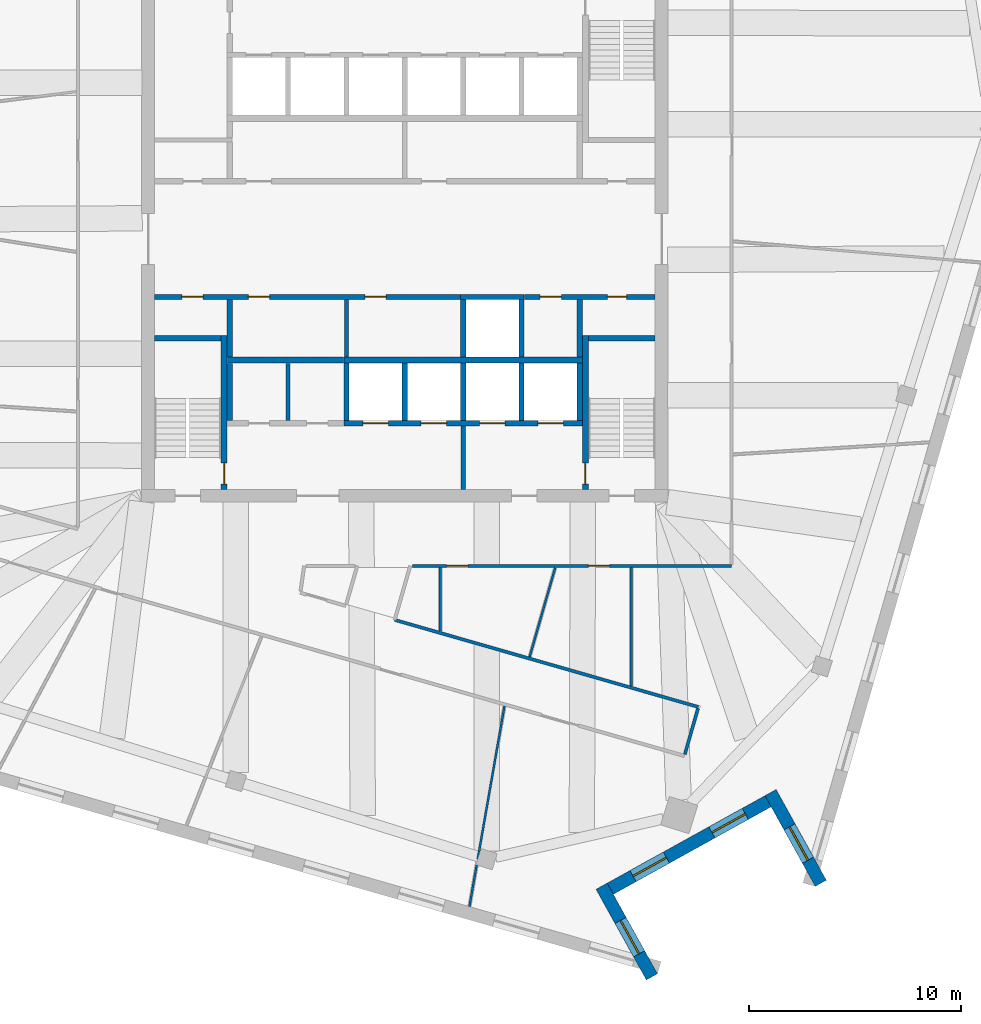
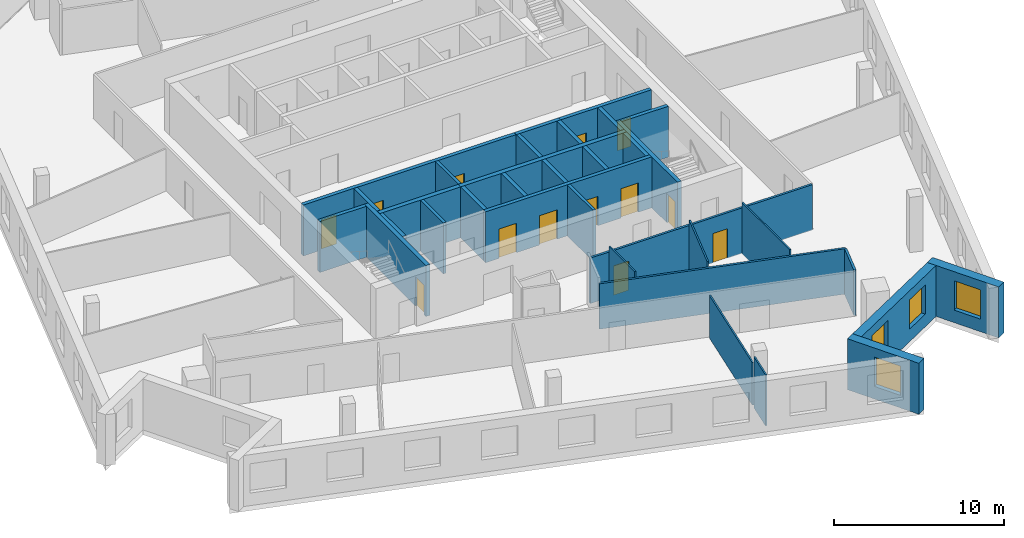
# One storey, part 8 of 15: 34 walls, 13 doors, 4 windows, 17 openings.
"""IFC4 building model written with IfcOpenShell, lengths in metres."""

import ifcopenshell
import ifcopenshell.guid

model = None  # the IFC model being written
_history = None  # IfcOwnerHistory: only IFC2X3 demands one
_inside = {}  # id of a spatial element -> (the spatial element, [elements in it])
_under = {}  # id of a project, library or spatial element -> (it, [spatial elements below it])
_declared = {}  # id of a project -> (the project, [libraries it declares])
_typed = {}  # id of a type object -> (the type object, [elements of that type])
_made_of = {}  # id of a material, layer set ... -> (it, [elements and type objects made of it])


def new_model(schema):
    """Start an empty IFC model of exactly this schema.

    Asked for "IFC4X3", IfcOpenShell would pick the latest addendum, in which some entities
    have other attributes; the version numbers below select the first issue.
    IFC2X3 requires an IfcOwnerHistory on every rooted entity: one is made here for all.
    """
    global model, _history
    if schema == "IFC4X3":
        model = ifcopenshell.file(schema_version=(4, 3, 0, 0))
    else:
        model = ifcopenshell.file(schema=schema)
    _inside.clear()
    _under.clear()
    _declared.clear()
    _typed.clear()
    _made_of.clear()
    _history = None
    if model.schema == "IFC2X3":
        org = make("IfcOrganization", Name="unknown")
        user = make(
            "IfcPersonAndOrganization",
            ThePerson=make("IfcPerson", FamilyName="unknown"),
            TheOrganization=org,
        )
        app = make(
            "IfcApplication",
            ApplicationDeveloper=org,
            Version="unknown",
            ApplicationFullName="unknown",
            ApplicationIdentifier="unknown",
        )
        _history = make(
            "IfcOwnerHistory",
            OwningUser=user,
            OwningApplication=app,
            ChangeAction="ADDED",
            CreationDate=0,
        )
    return model


def make(cls, **values):
    """One entity of the class cls with the attributes given. An attribute that is None is left unset."""
    return model.create_entity(
        cls, **{name: value for name, value in values.items() if value is not None}
    )


def rooted(cls, **values):
    """An entity with a GlobalId (a new one), such as an element, a storey or a relation."""
    return make(cls, GlobalId=ifcopenshell.guid.new(), OwnerHistory=_history, **values)


def si_unit(unit_type, name, prefix=None):
    """IfcSIUnit, for example si_unit("LENGTHUNIT", "METRE", prefix="MILLI")."""
    return make("IfcSIUnit", UnitType=unit_type, Prefix=prefix, Name=name)


def assignment(units):
    """IfcUnitAssignment: the units of a project."""
    return None if units is None else make("IfcUnitAssignment", Units=units)


def point(xyz):
    """IfcCartesianPoint."""
    return None if xyz is None else make("IfcCartesianPoint", Coordinates=xyz)


def direction(xyz):
    """IfcDirection."""
    return None if xyz is None else make("IfcDirection", DirectionRatios=xyz)


def frame(location, z_axis=None, x_axis=None):
    """IfcAxis2Placement3D, a coordinate frame: its origin and axes. An axis left out is left unset."""
    return make(
        "IfcAxis2Placement3D",
        Location=point(location),
        Axis=direction(z_axis),
        RefDirection=direction(x_axis),
    )


def frame_2d(location, x_axis=None):
    """IfcAxis2Placement2D, a coordinate frame in the plane: its origin and x axis."""
    return make(
        "IfcAxis2Placement2D", Location=point(location), RefDirection=direction(x_axis)
    )


def origin():
    """The frame at (0, 0, 0) with its axes left unset."""
    return frame((0.0, 0.0, 0.0))


def place(relative_to, where):
    """IfcLocalPlacement: puts the frame where relative to a parent placement (None: the world)."""
    return make(
        "IfcLocalPlacement", PlacementRelTo=relative_to, RelativePlacement=where
    )


def context(
    kind, dimensions, precision=None, world=None, true_north=None, identifier=None
):
    """IfcGeometricRepresentationContext, for example the 3D "Model" context."""
    return make(
        "IfcGeometricRepresentationContext",
        ContextIdentifier=identifier,
        ContextType=kind,
        CoordinateSpaceDimension=dimensions,
        Precision=precision,
        WorldCoordinateSystem=world,
        TrueNorth=true_north,
    )


def subcontext(parent, identifier, kind, view, scale=None):
    """IfcGeometricRepresentationSubContext, for example "Body" below "Model"."""
    return make(
        "IfcGeometricRepresentationSubContext",
        ContextIdentifier=identifier,
        ContextType=kind,
        ParentContext=parent,
        TargetScale=scale,
        TargetView=view,
    )


def project(units=None, contexts=None):
    """IfcProject with its units and contexts."""
    return rooted(
        "IfcProject",
        Name="project",
        RepresentationContexts=contexts,
        UnitsInContext=assignment(units),
    )


def spatial(cls, under=None, at=None, **own):
    """A site, building, storey or space (cls), placed at a placement, below another one or the project."""
    s = rooted(cls, ObjectPlacement=at, **own)
    if under is not None:
        _under.setdefault(under.id(), (under, []))[1].append(s)
    return s


def profile(cls, at=None, kind="AREA", **sizes):
    """A parametric profile (cls). Its sizes go by their IFC names, for example OverallWidth=200.0."""
    return make(cls, ProfileType=kind, Position=at, **sizes)


def rectangle(**sizes):
    """IfcRectangleProfileDef."""
    return profile("IfcRectangleProfileDef", **sizes)


def extrude(swept, where, along, depth):
    """IfcExtrudedAreaSolid: the profile swept, set in the frame where, extruded along a direction by depth."""
    return make(
        "IfcExtrudedAreaSolid",
        SweptArea=swept,
        Position=where,
        ExtrudedDirection=direction(along),
        Depth=depth,
    )


def shape(context_of_items, identifier, shape_type, items):
    """IfcShapeRepresentation: the items that make up one representation, for example the "Body"."""
    return make(
        "IfcShapeRepresentation",
        ContextOfItems=context_of_items,
        RepresentationIdentifier=identifier,
        RepresentationType=shape_type,
        Items=items,
    )


def material(Name=None, Category=None):
    """IfcMaterial."""
    return make("IfcMaterial", Name=Name, Category=Category)


def layer(
    of_material, thickness, ventilated=None, Name=None, Category=None, Priority=None
):
    """IfcMaterialLayer: one layer of a wall or slab, of a material (None: an air gap)."""
    return make(
        "IfcMaterialLayer",
        Material=of_material,
        LayerThickness=thickness,
        IsVentilated=ventilated,
        Name=Name,
        Category=Category,
        Priority=Priority,
    )


def layer_set(layers, Name=None):
    """IfcMaterialLayerSet."""
    return make("IfcMaterialLayerSet", MaterialLayers=layers, LayerSetName=Name)


def made_of(thing, what):
    """Note that an element or type object is made of a material, layer set ...; save() writes the relation."""
    if what is not None:
        _made_of.setdefault(what.id(), (what, []))[1].append(thing)
    return thing


def type_object(cls, material=None, **own):
    """A type object (cls), such as IfcWallType, which elements share."""
    return made_of(rooted(cls, **own), material)


def element(
    cls,
    number,
    at=None,
    inside=None,
    cuts=None,
    type_object=None,
    material=None,
    context=None,
    identifier="Body",
    shape_type=None,
    held_by="IfcProductDefinitionShape",
    body=None,
    shapes=None,
    **own,
):
    """One element of the class cls, such as IfcWall. Its Tag is "e" and its number.

    at: its placement. inside: the storey or other place that contains it. cuts: it is an
    opening in that element (IfcRelVoidsElement). A single representation is given by context,
    identifier, shape_type and body (its items); several are given by shapes. held_by: the class
    of the entity that holds the representations. save() writes the other relations.
    """
    e = rooted(cls, Tag="e%d" % number, ObjectPlacement=at, **own)
    if body is not None:
        shapes = [shape(context, identifier, shape_type, body)]
    if shapes is not None:
        e.Representation = make(held_by, Representations=shapes)
    if inside is not None:
        _inside.setdefault(inside.id(), (inside, []))[1].append(e)
    if cuts is not None:
        rooted(
            "IfcRelVoidsElement", RelatingBuildingElement=cuts, RelatedOpeningElement=e
        )
    if type_object is not None:
        _typed.setdefault(type_object.id(), (type_object, []))[1].append(e)
    return made_of(e, material)


def fill(opening, filler):
    """IfcRelFillsElement: the door or window that sits in an opening."""
    return rooted(
        "IfcRelFillsElement",
        RelatingOpeningElement=opening,
        RelatedBuildingElement=filler,
    )


def aggregate(whole, parts):
    """IfcRelAggregates: a whole, such as a stair, and the parts it consists of."""
    return rooted("IfcRelAggregates", RelatingObject=whole, RelatedObjects=parts)


def save(model, path):
    """Write the relations noted so far, then the file.

    IfcRelAggregates (storeys below a building ...), IfcRelContainedInSpatialStructure (elements
    in a storey), IfcRelDefinesByType, IfcRelAssociatesMaterial and IfcRelDeclares: one each for
    every whole, place, type object, material and project.
    """
    for whole, parts in _under.values():
        aggregate(whole, parts)
    for where, things in _inside.values():
        rooted(
            "IfcRelContainedInSpatialStructure",
            RelatedElements=things,
            RelatingStructure=where,
        )
    for kind, things in _typed.values():
        rooted("IfcRelDefinesByType", RelatedObjects=things, RelatingType=kind)
    for what, things in _made_of.values():
        rooted("IfcRelAssociatesMaterial", RelatedObjects=things, RelatingMaterial=what)
    for by, libraries in _declared.values():
        rooted("IfcRelDeclares", RelatingContext=by, RelatedDefinitions=libraries)
    model.write(path)


model = new_model("IFC4")

# Units and contexts
model_context = context("Model", 3, precision=1e-05, world=origin(), true_north=direction((0.0, 1.0)))
body_context = subcontext(model_context, "Body", "Model", "MODEL_VIEW")
ifc_project = project(units=[si_unit("LENGTHUNIT", "METRE"), si_unit("AREAUNIT", "SQUARE_METRE"), si_unit("VOLUMEUNIT", "CUBIC_METRE"), si_unit("PLANEANGLEUNIT", "RADIAN"), si_unit("MASSUNIT", "GRAM", prefix="KILO")], contexts=[model_context])

# Site, building, storey
site_placement = place(None, origin())
site = spatial("IfcSite", under=ifc_project, at=site_placement, CompositionType="ELEMENT")
building_placement = place(site_placement, origin())
building = spatial("IfcBuilding", under=site, at=building_placement, Name="Dilmun Exchange Tower", CompositionType="ELEMENT")
storey_placement = place(building_placement, frame((0.0, 0.0, 328.5)))
storey = spatial("IfcBuildingStorey", under=building, at=storey_placement, Name="L78", CompositionType="ELEMENT", Elevation=328.5)

# Walls
ifc_material_1 = material(Name="Concrete C40/50", Category="concrete")
ifc_layer_1 = layer(ifc_material_1, 0.199951171875)
ifc_layer_set_1 = layer_set([ifc_layer_1], Name="Concrete C40/50")
wall_type_1 = type_object("IfcWallType", Name="Core partition wall 200", PredefinedType="PARTITIONING", material=ifc_layer_set_1)
wall_1_placement = place(storey_placement, frame((2.75, -11.794921875, 0.0), z_axis=(0.0, 0.0, 1.0), x_axis=(0.0, 1.0, 0.0)))
element("IfcWall", 1, at=wall_1_placement, inside=storey, type_object=wall_type_1, Name="L78 core partition wall 01", PredefinedType="PARTITIONING", context=body_context, shape_type="SweptSolid", body=[
    extrude(rectangle(XDim=2.989990234375, YDim=0.199951171875, at=frame_2d((1.4951171875, 0.0))), origin(), (0.0, 0.0, 1.0), 3.64990234375),
])
for number, where, z_axis, x_axis, name in (
    (2, (-5.5, -8.544921875, 0.0), (0.0, 0.0, 1.0), (0.0, 1.0, 0.0), "L78 core partition wall 04"),
    (3, (-2.75, -5.544921875, 0.0), (0.0, 0.0, 1.0), (0.0, 1.0, 0.0), "L78 core partition wall 07"),
):
    element("IfcWall", number, at=place(storey_placement, frame(where, z_axis=z_axis, x_axis=x_axis)), inside=storey, type_object=wall_type_1, Name=name, PredefinedType="PARTITIONING", context=body_context, shape_type="SweptSolid", body=[
        extrude(rectangle(XDim=2.68994140625, YDim=0.199951171875, at=frame_2d((1.344970703125, 0.0))), origin(), (0.0, 0.0, 1.0), 3.64990234375),
    ])
ifc_layer_2 = layer(ifc_material_1, 0.25)
ifc_layer_set_2 = layer_set([ifc_layer_2], Name="Concrete C40/50")
wall_type_2 = type_object("IfcWallType", Name="Core partition wall 250", PredefinedType="PARTITIONING", material=ifc_layer_set_2)
for number, where, z_axis, x_axis, name in (
    (4, (-8.25, -8.544921875, 0.0), (0.0, 0.0, 1.0), (0.0, 1.0, 0.0), "L78 core partition wall 03"),
    (5, (-8.25, -5.544921875, 0.0), (0.0, 0.0, 1.0), (0.0, 1.0, 0.0), "L78 core partition wall 06"),
    (6, (8.25, -5.544921875, 0.0), (0.0, 0.0, 1.0), (0.0, 1.0, 0.0), "L78 core partition wall 08"),
):
    element("IfcWall", number, at=place(storey_placement, frame(where, z_axis=z_axis, x_axis=x_axis)), inside=storey, type_object=wall_type_2, Name=name, PredefinedType="PARTITIONING", context=body_context, shape_type="SweptSolid", body=[
        extrude(rectangle(XDim=2.68994140625, YDim=0.25, at=frame_2d((1.344970703125, 0.0))), origin(), (0.0, 0.0, 1.0), 3.64990234375),
    ])

# Wall, openings, doors
wall_2_placement = place(storey_placement, frame((-11.794921875, -2.72509765625, 0.0), z_axis=(0.0, 0.0, 1.0), x_axis=(1.0, 0.0, 0.0)))
wall_2 = element("IfcWall", 7, at=wall_2_placement, inside=storey, type_object=wall_type_2, Name="L78 core partition wall 09", PredefinedType="PARTITIONING", context=body_context, shape_type="SweptSolid", body=[
    extrude(rectangle(XDim=14.4150390625, YDim=0.25, at=frame_2d((7.20751953125, 0.0))), origin(), (0.0, 0.0, 1.0), 3.64990234375),
])
opening_1_placement = place(wall_2_placement, frame((1.294921875, 0.0, 0.0)))
opening_1 = element("IfcOpeningElement", 8, at=opening_1_placement, cuts=wall_2, Name="Opening CD4", PredefinedType="OPENING", context=body_context, shape_type="SweptSolid", body=[
    extrude(rectangle(XDim=1.0, YDim=2.10009765625, at=frame_2d((0.5, 1.050048828125))), frame((0.0, 0.135009765625, 0.0), z_axis=(0.0, -1.0, 0.0), x_axis=(1.0, 0.0, 0.0)), (0.0, 0.0, 1.0), 0.27001953125),
])
opening_2_placement = place(wall_2_placement, frame((4.419921875, 0.0, 0.0)))
opening_2 = element("IfcOpeningElement", 9, at=opening_2_placement, cuts=wall_2, Name="Opening CD4", PredefinedType="OPENING", context=body_context, shape_type="SweptSolid", body=[
    extrude(rectangle(XDim=1.0, YDim=2.10009765625, at=frame_2d((0.5, 1.050048828125))), frame((0.0, 0.135009765625, 0.0), z_axis=(0.0, -1.0, 0.0), x_axis=(1.0, 0.0, 0.0)), (0.0, 0.0, 1.0), 0.27001953125),
])
opening_3_placement = place(wall_2_placement, frame((9.919921875, 0.0, 0.0)))
opening_3 = element("IfcOpeningElement", 10, at=opening_3_placement, cuts=wall_2, Name="Opening CD4", PredefinedType="OPENING", context=body_context, shape_type="SweptSolid", body=[
    extrude(rectangle(XDim=1.0, YDim=2.10009765625, at=frame_2d((0.5, 1.050048828125))), frame((0.0, 0.135009765625, 0.0), z_axis=(0.0, -1.0, 0.0), x_axis=(1.0, 0.0, 0.0)), (0.0, 0.0, 1.0), 0.27001953125),
])
ifc_material_2 = material(Name="Fire-rated steel door set", Category="steel")
door_type_1 = type_object("IfcDoorType", Name="Core room door 1000x2100", OperationType="SINGLE_SWING_LEFT", PredefinedType="DOOR", material=ifc_material_2)
door_1_placement = place(opening_1_placement, origin())
door_1 = element("IfcDoor", 11, at=door_1_placement, inside=storey, type_object=door_type_1, Name="L78 door Accessible WC", OperationType="SINGLE_SWING_LEFT", OverallHeight=2.10009765625, OverallWidth=1.0, PredefinedType="DOOR", context=body_context, shape_type="SweptSolid", body=[
    extrude(rectangle(XDim=1.0, YDim=2.10009765625, at=frame_2d((0.5, 1.050048828125))), frame((0.0, 0.02490234375, 0.0), z_axis=(0.0, -1.0, 0.0), x_axis=(1.0, 0.0, 0.0)), (0.0, 0.0, 1.0), 0.050048828125),
])
fill(opening_1, door_1)
door_2_placement = place(opening_2_placement, origin())
door_2 = element("IfcDoor", 12, at=door_2_placement, inside=storey, type_object=door_type_1, Name="L78 door Tenant services room", OperationType="SINGLE_SWING_LEFT", OverallHeight=2.10009765625, OverallWidth=1.0, PredefinedType="DOOR", context=body_context, shape_type="SweptSolid", body=[
    extrude(rectangle(XDim=1.0, YDim=2.10009765625, at=frame_2d((0.5, 1.050048828125))), frame((0.0, 0.02490234375, 0.0), z_axis=(0.0, -1.0, 0.0), x_axis=(1.0, 0.0, 0.0)), (0.0, 0.0, 1.0), 0.050048828125),
])
fill(opening_2, door_2)
door_3_placement = place(opening_3_placement, origin())
door_3 = element("IfcDoor", 13, at=door_3_placement, inside=storey, type_object=door_type_1, Name="L78 door Archive store", OperationType="SINGLE_SWING_LEFT", OverallHeight=2.10009765625, OverallWidth=1.0, PredefinedType="DOOR", context=body_context, shape_type="SweptSolid", body=[
    extrude(rectangle(XDim=1.0, YDim=2.10009765625, at=frame_2d((0.5, 1.050048828125))), frame((0.0, 0.02490234375, 0.0), z_axis=(0.0, -1.0, 0.0), x_axis=(1.0, 0.0, 0.0)), (0.0, 0.0, 1.0), 0.050048828125),
])
fill(opening_3, door_3)

wall_3_placement = place(storey_placement, frame((5.6298828125, -2.72509765625, 0.0), z_axis=(0.0, 0.0, 1.0), x_axis=(1.0, 0.0, 0.0)))
wall_3 = element("IfcWall", 14, at=wall_3_placement, inside=storey, type_object=wall_type_2, Name="L78 core partition wall 10", PredefinedType="PARTITIONING", context=body_context, shape_type="SweptSolid", body=[
    extrude(rectangle(XDim=6.1650390625, YDim=0.25, at=frame_2d((3.08251953125, 0.0))), origin(), (0.0, 0.0, 1.0), 3.64990234375),
])
opening_4_placement = place(wall_3_placement, frame((0.7451171875, 0.0, 0.0)))
opening_4 = element("IfcOpeningElement", 15, at=opening_4_placement, cuts=wall_3, Name="Opening CD4", PredefinedType="OPENING", context=body_context, shape_type="SweptSolid", body=[
    extrude(rectangle(XDim=1.0, YDim=2.10009765625, at=frame_2d((0.5, 1.050048828125))), frame((0.0, 0.135009765625, 0.0), z_axis=(0.0, -1.0, 0.0), x_axis=(1.0, 0.0, 0.0)), (0.0, 0.0, 1.0), 0.27001953125),
])
opening_5_placement = place(wall_3_placement, frame((3.919921875, 0.0, 0.0)))
opening_5 = element("IfcOpeningElement", 16, at=opening_5_placement, cuts=wall_3, Name="Opening CD6", PredefinedType="OPENING", context=body_context, shape_type="SweptSolid", body=[
    extrude(rectangle(XDim=0.89990234375, YDim=2.10009765625, at=frame_2d((0.449951171875, 1.050048828125))), frame((0.0, 0.135009765625, 0.0), z_axis=(0.0, -1.0, 0.0), x_axis=(1.0, 0.0, 0.0)), (0.0, 0.0, 1.0), 0.27001953125),
])
door_4_placement = place(opening_4_placement, origin())
door_4 = element("IfcDoor", 17, at=door_4_placement, inside=storey, type_object=door_type_1, Name="L78 door Cleaners' store", OperationType="SINGLE_SWING_LEFT", OverallHeight=2.10009765625, OverallWidth=1.0, PredefinedType="DOOR", context=body_context, shape_type="SweptSolid", body=[
    extrude(rectangle(XDim=1.0, YDim=2.10009765625, at=frame_2d((0.5, 1.050048828125))), frame((0.0, 0.02490234375, 0.0), z_axis=(0.0, -1.0, 0.0), x_axis=(1.0, 0.0, 0.0)), (0.0, 0.0, 1.0), 0.050048828125),
])
fill(opening_4, door_4)
door_type_2 = type_object("IfcDoorType", Name="Core room door 900x2100", OperationType="SINGLE_SWING_LEFT", PredefinedType="DOOR", material=ifc_material_2)
door_5_placement = place(opening_5_placement, origin())
door_5 = element("IfcDoor", 18, at=door_5_placement, inside=storey, type_object=door_type_2, Name="L78 door Comms riser", OperationType="SINGLE_SWING_LEFT", OverallHeight=2.10009765625, OverallWidth=0.89990234375, PredefinedType="DOOR", context=body_context, shape_type="SweptSolid", body=[
    extrude(rectangle(XDim=0.89990234375, YDim=2.10009765625, at=frame_2d((0.449951171875, 1.050048828125))), frame((0.0, 0.02490234375, 0.0), z_axis=(0.0, -1.0, 0.0), x_axis=(1.0, 0.0, 0.0)), (0.0, 0.0, 1.0), 0.050048828125),
])
fill(opening_5, door_5)

# Walls
ifc_layer_3 = layer(ifc_material_1, 0.300048828125)
ifc_layer_set_3 = layer_set([ifc_layer_3], Name="Concrete C40/50")
wall_type_3 = type_object("IfcWallType", Name="Core partition wall 300", PredefinedType="PARTITIONING", material=ifc_layer_set_3)
wall_4_placement = place(storey_placement, frame((-8.35009765625, -5.699951171875, 0.0), z_axis=(0.0, 0.0, 1.0), x_axis=(1.0, 0.0, 0.0)))
element("IfcWall", 19, at=wall_4_placement, inside=storey, type_object=wall_type_3, Name="L78 core partition wall 05", PredefinedType="PARTITIONING", context=body_context, shape_type="SweptSolid", body=[
    extrude(rectangle(XDim=5.47021484375, YDim=0.300048828125, at=frame_2d((2.735107421875, 0.0))), origin(), (0.0, 0.0, 1.0), 3.64990234375),
])
ifc_material_3 = material(Name="Corridor wall 150")
ifc_layer_4 = layer(ifc_material_3, 0.14990234375)
ifc_layer_set_4 = layer_set([ifc_layer_4], Name="Corridor wall 150")
wall_type_4 = type_object("IfcWallType", Name="Corridor wall 150", PredefinedType="PARTITIONING", material=ifc_layer_set_4)
wall_5_placement = place(storey_placement, frame((-0.47509765625, -17.945068359375, 0.0), z_axis=(0.0, 0.0, 1.0), x_axis=(0.9612723016, -0.275600366793, 0.0)))
element("IfcWall", 20, at=wall_5_placement, inside=storey, type_object=wall_type_4, Name="Corridor wall", PredefinedType="PARTITIONING", context=body_context, shape_type="SweptSolid", body=[
    extrude(rectangle(XDim=14.8876953125, YDim=0.14990234375, at=frame_2d((7.44384765625, 0.0))), origin(), (0.0, 0.0, 1.0), 3.25),
])

# Wall, openings, doors
wall_6_placement = place(storey_placement, frame((0.3544921875, -15.39990234375, 0.0), z_axis=(0.0, 0.0, 1.0), x_axis=(1.0, 0.0, 0.0)))
wall_6 = element("IfcWall", 21, at=wall_6_placement, inside=storey, type_object=wall_type_4, Name="Corridor wall", PredefinedType="PARTITIONING", context=body_context, shape_type="SweptSolid", body=[
    extrude(rectangle(XDim=15.04541015625, YDim=0.14990234375, at=frame_2d((7.522705078125, 0.0))), origin(), (0.0, 0.0, 1.0), 3.25),
])
opening_6_placement = place(wall_6_placement, frame((1.615966796875, 0.0, 0.0)))
opening_6 = element("IfcOpeningElement", 22, at=opening_6_placement, cuts=wall_6, Name="Opening TF77-D11", PredefinedType="OPENING", context=body_context, shape_type="SweptSolid", body=[
    extrude(rectangle(XDim=1.0, YDim=2.10009765625, at=frame_2d((0.5, 1.050048828125))), frame((0.0, 0.0849609375, 0.0), z_axis=(0.0, -1.0, 0.0), x_axis=(1.0, 0.0, 0.0)), (0.0, 0.0, 1.0), 0.169921875),
])
opening_7_placement = place(wall_6_placement, frame((8.29541015625, 0.0, 0.0)))
opening_7 = element("IfcOpeningElement", 23, at=opening_7_placement, cuts=wall_6, Name="Opening TF77-D13", PredefinedType="OPENING", context=body_context, shape_type="SweptSolid", body=[
    extrude(rectangle(XDim=1.0, YDim=2.10009765625, at=frame_2d((0.5, 1.050048828125))), frame((0.0, 0.0849609375, 0.0), z_axis=(0.0, -1.0, 0.0), x_axis=(1.0, 0.0, 0.0)), (0.0, 0.0, 1.0), 0.169921875),
])
ifc_material_4 = material(Name="Fire door 1000 x 2100")
door_type_3 = type_object("IfcDoorType", Name="Fire door 1000 x 2100", OperationType="NOTDEFINED", PredefinedType="DOOR", material=ifc_material_4)
door_6_placement = place(opening_6_placement, frame((1.0, 0.0, 0.0), z_axis=(0.0, 0.0, 1.0), x_axis=(-1.0, 0.0, 0.0)))
door_6 = element("IfcDoor", 24, at=door_6_placement, inside=storey, type_object=door_type_3, Name="Door TF77-D11", OperationType="SINGLE_SWING_RIGHT", OverallHeight=2.10009765625, OverallWidth=1.0, PredefinedType="DOOR", context=body_context, shape_type="SweptSolid", body=[
    extrude(rectangle(XDim=1.0, YDim=2.10009765625, at=frame_2d((0.5, 1.050048828125))), frame((0.0, 0.02490234375, 0.0), z_axis=(0.0, -1.0, 0.0), x_axis=(1.0, 0.0, 0.0)), (0.0, 0.0, 1.0), 0.050048828125),
])
fill(opening_6, door_6)
door_7_placement = place(opening_7_placement, frame((1.0, 0.0, 0.0), z_axis=(0.0, 0.0, 1.0), x_axis=(-1.0, 0.0, 0.0)))
door_7 = element("IfcDoor", 25, at=door_7_placement, inside=storey, type_object=door_type_3, Name="Door TF77-D13", OperationType="SINGLE_SWING_RIGHT", OverallHeight=2.10009765625, OverallWidth=1.0, PredefinedType="DOOR", context=body_context, shape_type="SweptSolid", body=[
    extrude(rectangle(XDim=1.0, YDim=2.10009765625, at=frame_2d((0.5, 1.050048828125))), frame((0.0, 0.02490234375, 0.0), z_axis=(0.0, -1.0, 0.0), x_axis=(1.0, 0.0, 0.0)), (0.0, 0.0, 1.0), 0.050048828125),
])
fill(opening_7, door_7)

# Walls
wall_7_placement = place(storey_placement, frame((13.19580078125, -24.282958984375, 0.0), z_axis=(0.0, 0.0, 1.0), x_axis=(0.27530870869, 0.961355873191, 0.0)))
element("IfcWall", 26, at=wall_7_placement, inside=storey, type_object=wall_type_4, Name="Corridor wall", PredefinedType="PARTITIONING", context=body_context, shape_type="SweptSolid", body=[
    extrude(rectangle(XDim=2.249755859375, YDim=0.14990234375, at=frame_2d((1.125, 0.0))), origin(), (0.0, 0.0, 1.0), 3.25),
])
ifc_layer_5 = layer(ifc_material_1, 0.300048828125)
ifc_layer_set_5 = layer_set([ifc_layer_5], Name="Concrete C40/50")
wall_type_5 = type_object("IfcWallType", Name="Lift shaft shared wall 300", PredefinedType="SOLIDWALL", material=ifc_layer_set_5)
wall_8_placement = place(storey_placement, frame((-2.875, -5.699951171875, 0.0), z_axis=(0.0, 0.0, 1.0), x_axis=(1.0, 0.0, 0.0)))
element("IfcWall", 27, at=wall_8_placement, inside=storey, type_object=wall_type_5, Name="L78 lift shaft rear wall S", PredefinedType="SOLIDWALL", context=body_context, shape_type="SweptSolid", body=[
    extrude(rectangle(XDim=11.25, YDim=0.300048828125, at=frame_2d((5.625, 0.0))), origin(), (0.0, 0.0, 1.0), 3.64990234375),
])
ifc_layer_6 = layer(ifc_material_1, 0.25)
ifc_layer_set_6 = layer_set([ifc_layer_6], Name="Concrete C40/50")
wall_type_6 = type_object("IfcWallType", Name="Lift shaft wall 250", PredefinedType="SOLIDWALL", material=ifc_layer_set_6)
wall_9_placement = place(storey_placement, frame((2.625, -2.72509765625, 0.0), z_axis=(0.0, 0.0, 1.0), x_axis=(1.0, 0.0, 0.0)))
element("IfcWall", 28, at=wall_9_placement, inside=storey, type_object=wall_type_6, Name="L78 lift shaft front wall S1", PredefinedType="SOLIDWALL", context=body_context, shape_type="SweptSolid", body=[
    extrude(rectangle(XDim=3.0, YDim=0.25, at=frame_2d((1.5, 0.0))), origin(), (0.0, 0.0, 1.0), 3.64990234375),
])
for number, where, z_axis, x_axis, name in (
    (29, (2.75, -5.550048828125, 0.0), (0.0, 0.0, 1.0), (0.0, 1.0, 0.0), "L78 lift shaft divider S14"),
    (30, (5.5, -5.550048828125, 0.0), (0.0, 0.0, 1.0), (0.0, 1.0, 0.0), "L78 lift shaft divider S15"),
):
    element("IfcWall", number, at=place(storey_placement, frame(where, z_axis=z_axis, x_axis=x_axis)), inside=storey, type_object=wall_type_6, Name=name, PredefinedType="SOLIDWALL", context=body_context, shape_type="SweptSolid", body=[
        extrude(rectangle(XDim=2.699951171875, YDim=0.25, at=frame_2d((1.35009765625, 0.0))), origin(), (0.0, 0.0, 1.0), 3.64990234375),
    ])

# Wall, openings, doors
wall_10_placement = place(storey_placement, frame((-2.875, -8.675048828125, 0.0), z_axis=(0.0, 0.0, 1.0), x_axis=(1.0, 0.0, 0.0)))
wall_10 = element("IfcWall", 31, at=wall_10_placement, inside=storey, type_object=wall_type_6, Name="L78 lift shaft front wall S2", PredefinedType="SOLIDWALL", context=body_context, shape_type="SweptSolid", body=[
    extrude(rectangle(XDim=11.25, YDim=0.25, at=frame_2d((5.625, 0.0))), origin(), (0.0, 0.0, 1.0), 3.64990234375),
])
opening_8_placement = place(wall_10_placement, frame((0.89990234375, 0.0, 0.0)))
opening_8 = element("IfcOpeningElement", 32, at=opening_8_placement, cuts=wall_10, Name="Opening LD", PredefinedType="OPENING", context=body_context, shape_type="SweptSolid", body=[
    extrude(rectangle(XDim=1.199951171875, YDim=2.10009765625, at=frame_2d((0.60009765625, 1.050048828125))), frame((0.0, 0.135009765625, 0.0), z_axis=(0.0, -1.0, 0.0), x_axis=(1.0, 0.0, 0.0)), (0.0, 0.0, 1.0), 0.27001953125),
])
opening_9_placement = place(wall_10_placement, frame((3.64990234375, 0.0, 0.0)))
opening_9 = element("IfcOpeningElement", 33, at=opening_9_placement, cuts=wall_10, Name="Opening LD", PredefinedType="OPENING", context=body_context, shape_type="SweptSolid", body=[
    extrude(rectangle(XDim=1.199951171875, YDim=2.10009765625, at=frame_2d((0.60009765625, 1.050048828125))), frame((0.0, 0.135009765625, 0.0), z_axis=(0.0, -1.0, 0.0), x_axis=(1.0, 0.0, 0.0)), (0.0, 0.0, 1.0), 0.27001953125),
])
opening_10_placement = place(wall_10_placement, frame((6.39990234375, 0.0, 0.0)))
opening_10 = element("IfcOpeningElement", 34, at=opening_10_placement, cuts=wall_10, Name="Opening LD", PredefinedType="OPENING", context=body_context, shape_type="SweptSolid", body=[
    extrude(rectangle(XDim=1.199951171875, YDim=2.10009765625, at=frame_2d((0.60009765625, 1.050048828125))), frame((0.0, 0.135009765625, 0.0), z_axis=(0.0, -1.0, 0.0), x_axis=(1.0, 0.0, 0.0)), (0.0, 0.0, 1.0), 0.27001953125),
])
opening_11_placement = place(wall_10_placement, frame((9.14990234375, 0.0, 0.0)))
opening_11 = element("IfcOpeningElement", 35, at=opening_11_placement, cuts=wall_10, Name="Opening LD", PredefinedType="OPENING", context=body_context, shape_type="SweptSolid", body=[
    extrude(rectangle(XDim=1.199951171875, YDim=2.10009765625, at=frame_2d((0.60009765625, 1.050048828125))), frame((0.0, 0.135009765625, 0.0), z_axis=(0.0, -1.0, 0.0), x_axis=(1.0, 0.0, 0.0)), (0.0, 0.0, 1.0), 0.27001953125),
])
door_type_4 = type_object("IfcDoorType", Name="Lift landing door 1200x2100", OperationType="DOUBLE_DOOR_SLIDING", PredefinedType="DOOR", material=ifc_material_2)
door_8_placement = place(opening_8_placement, origin())
door_8 = element("IfcDoor", 36, at=door_8_placement, inside=storey, type_object=door_type_4, Name="L78 landing door SV1", OperationType="DOUBLE_DOOR_SLIDING", OverallHeight=2.10009765625, OverallWidth=1.199951171875, PredefinedType="DOOR", context=body_context, shape_type="SweptSolid", body=[
    extrude(rectangle(XDim=1.199951171875, YDim=2.10009765625, at=frame_2d((0.60009765625, 1.050048828125))), frame((0.0, 0.02490234375, 0.0), z_axis=(0.0, -1.0, 0.0), x_axis=(1.0, 0.0, 0.0)), (0.0, 0.0, 1.0), 0.050048828125),
])
fill(opening_8, door_8)
door_9_placement = place(opening_9_placement, origin())
door_9 = element("IfcDoor", 37, at=door_9_placement, inside=storey, type_object=door_type_4, Name="L78 landing door SV2", OperationType="DOUBLE_DOOR_SLIDING", OverallHeight=2.10009765625, OverallWidth=1.199951171875, PredefinedType="DOOR", context=body_context, shape_type="SweptSolid", body=[
    extrude(rectangle(XDim=1.199951171875, YDim=2.10009765625, at=frame_2d((0.60009765625, 1.050048828125))), frame((0.0, 0.02490234375, 0.0), z_axis=(0.0, -1.0, 0.0), x_axis=(1.0, 0.0, 0.0)), (0.0, 0.0, 1.0), 0.050048828125),
])
fill(opening_9, door_9)
door_10_placement = place(opening_10_placement, origin())
door_10 = element("IfcDoor", 38, at=door_10_placement, inside=storey, type_object=door_type_4, Name="L78 landing door FF1", OperationType="DOUBLE_DOOR_SLIDING", OverallHeight=2.10009765625, OverallWidth=1.199951171875, PredefinedType="DOOR", context=body_context, shape_type="SweptSolid", body=[
    extrude(rectangle(XDim=1.199951171875, YDim=2.10009765625, at=frame_2d((0.60009765625, 1.050048828125))), frame((0.0, 0.02490234375, 0.0), z_axis=(0.0, -1.0, 0.0), x_axis=(1.0, 0.0, 0.0)), (0.0, 0.0, 1.0), 0.050048828125),
])
fill(opening_10, door_10)
door_11_placement = place(opening_11_placement, origin())
door_11 = element("IfcDoor", 39, at=door_11_placement, inside=storey, type_object=door_type_4, Name="L78 landing door FF2", OperationType="DOUBLE_DOOR_SLIDING", OverallHeight=2.10009765625, OverallWidth=1.199951171875, PredefinedType="DOOR", context=body_context, shape_type="SweptSolid", body=[
    extrude(rectangle(XDim=1.199951171875, YDim=2.10009765625, at=frame_2d((0.60009765625, 1.050048828125))), frame((0.0, 0.02490234375, 0.0), z_axis=(0.0, -1.0, 0.0), x_axis=(1.0, 0.0, 0.0)), (0.0, 0.0, 1.0), 0.050048828125),
])
fill(opening_11, door_11)

# Walls
for number, where, z_axis, x_axis, name in (
    (40, (-2.75, -8.550048828125, 0.0), (0.0, 0.0, 1.0), (0.0, 1.0, 0.0), "L78 lift shaft divider S22"),
    (41, (0.0, -8.550048828125, 0.0), (0.0, 0.0, 1.0), (0.0, 1.0, 0.0), "L78 lift shaft divider S23"),
    (42, (2.75, -8.550048828125, 0.0), (0.0, 0.0, 1.0), (0.0, 1.0, 0.0), "L78 lift shaft divider S24"),
    (43, (5.5, -8.550048828125, 0.0), (0.0, 0.0, 1.0), (0.0, 1.0, 0.0), "L78 lift shaft divider S25"),
    (44, (8.25, -8.550048828125, 0.0), (0.0, 0.0, 1.0), (0.0, 1.0, 0.0), "L78 lift shaft divider S26"),
):
    element("IfcWall", number, at=place(storey_placement, frame(where, z_axis=z_axis, x_axis=x_axis)), inside=storey, type_object=wall_type_6, Name=name, PredefinedType="SOLIDWALL", context=body_context, shape_type="SweptSolid", body=[
        extrude(rectangle(XDim=2.699951171875, YDim=0.25, at=frame_2d((1.35009765625, 0.0))), origin(), (0.0, 0.0, 1.0), 3.64990234375),
    ])
ifc_material_5 = material(Name="Partition 100")
ifc_layer_7 = layer(ifc_material_5, 0.10009765625)
ifc_layer_set_7 = layer_set([ifc_layer_7], Name="Partition 100")
wall_type_7 = type_object("IfcWallType", Name="Partition 100", PredefinedType="PARTITIONING", material=ifc_layer_set_7)
wall_11_placement = place(storey_placement, frame((1.669921875, -18.466796875, 0.0), z_axis=(0.0, 0.0, 1.0), x_axis=(0.0, 1.0, 0.0)))
element("IfcWall", 45, at=wall_11_placement, inside=storey, type_object=wall_type_7, Name="Partition", PredefinedType="PARTITIONING", context=body_context, shape_type="SweptSolid", body=[
    extrude(rectangle(XDim=2.99169921875, YDim=0.10009765625, at=frame_2d((1.495849609375, 0.0))), origin(), (0.0, 0.0, 1.0), 3.64990234375),
])
wall_12_placement = place(storey_placement, frame((3.045166015625, -31.455810546875, 0.0), z_axis=(0.0, 0.0, 1.0), x_axis=(0.172163344144, 0.985068415357, 0.0)))
element("IfcWall", 46, at=wall_12_placement, inside=storey, type_object=wall_type_7, Name="Partition", PredefinedType="PARTITIONING", context=body_context, shape_type="SweptSolid", body=[
    extrude(rectangle(XDim=1.992431640625, YDim=0.10009765625, at=frame_2d((0.99609375, 0.0))), origin(), (0.0, 0.0, 1.0), 3.64990234375),
])
wall_13_placement = place(storey_placement, frame((3.434326171875, -29.228759765625, 0.0), z_axis=(0.0, 0.0, 1.0), x_axis=(0.172116960566, 0.985076520827, 0.0)))
element("IfcWall", 47, at=wall_13_placement, inside=storey, type_object=wall_type_7, Name="Partition", PredefinedType="PARTITIONING", context=body_context, shape_type="SweptSolid", body=[
    extrude(rectangle(XDim=7.33056640625, YDim=0.10009765625, at=frame_2d((3.665283203125, 0.0))), origin(), (0.0, 0.0, 1.0), 3.050048828125),
])
wall_14_placement = place(storey_placement, frame((5.881591796875, -19.68896484375, 0.0), z_axis=(0.0, 0.0, 1.0), x_axis=(0.275577071069, 0.961278980266, 0.0)))
element("IfcWall", 48, at=wall_14_placement, inside=storey, type_object=wall_type_7, Name="Partition", PredefinedType="PARTITIONING", context=body_context, shape_type="SweptSolid", body=[
    extrude(rectangle(XDim=4.369384765625, YDim=0.10009765625, at=frame_2d((2.1845703125, 0.0))), origin(), (0.0, 0.0, 1.0), 3.64990234375),
])
wall_15_placement = place(storey_placement, frame((10.6689453125, -21.047607421875, 0.0), z_axis=(0.0, 0.0, 1.0), x_axis=(0.0, 1.0, 0.0)))
element("IfcWall", 49, at=wall_15_placement, inside=storey, type_object=wall_type_7, Name="Partition", PredefinedType="PARTITIONING", context=body_context, shape_type="SweptSolid", body=[
    extrude(rectangle(XDim=5.572509765625, YDim=0.10009765625, at=frame_2d((2.7861328125, 0.0))), origin(), (0.0, 0.0, 1.0), 3.64990234375),
])

# Wall, opening, window
ifc_material_6 = material(Name="Precast concrete C50/60", Category="concrete")
ifc_layer_8 = layer(ifc_material_6, 0.60009765625)
ifc_layer_set_8 = layer_set([ifc_layer_8], Name="Precast concrete C50/60")
wall_type_8 = type_object("IfcWallType", Name="Precast stone-clad wall 600", PredefinedType="STANDARD", material=ifc_layer_set_8)
wall_16_placement = place(storey_placement, frame((11.64501953125, -34.768798828125, 0.0), z_axis=(0.0, 0.0, 1.0), x_axis=(-0.48482808285, 0.874609472896, 0.0)))
wall_16 = element("IfcWall", 50, at=wall_16_placement, inside=storey, type_object=wall_type_8, Name="Facade wall L78-08", PredefinedType="STANDARD", context=body_context, shape_type="SweptSolid", body=[
    extrude(rectangle(XDim=4.885498046875, YDim=0.60009765625, at=frame_2d((2.44287109375, 0.0))), origin(), (0.0, 0.0, 1.0), 3.64990234375),
])
opening_12_placement = place(wall_16_placement, frame((1.242919921875, 0.0, 0.89990234375)))
opening_12 = element("IfcOpeningElement", 51, at=opening_12_placement, cuts=wall_16, Name="Opening W180-210", PredefinedType="OPENING", context=body_context, shape_type="SweptSolid", body=[
    extrude(rectangle(XDim=1.800048828125, YDim=2.10009765625, at=frame_2d((0.89990234375, 1.050048828125))), frame((0.0, 0.31005859375, 0.0), z_axis=(0.0, -1.0, 0.0), x_axis=(1.0, 0.0, 0.0)), (0.0, 0.0, 1.0), 0.6201171875),
])
ifc_material_7 = material(Name="Clear low-emissivity glass in aluminium frame", Category="aluminium")
window_type = type_object("IfcWindowType", Name="Punched window 1800 x 2100", PartitioningType="DOUBLE_PANEL_VERTICAL", PredefinedType="WINDOW", material=ifc_material_7)
window_1_placement = place(opening_12_placement, origin())
window_1 = element("IfcWindow", 52, at=window_1_placement, inside=storey, type_object=window_type, Name="Window 9.1", OverallHeight=2.10009765625, OverallWidth=1.800048828125, PartitioningType="SINGLE_PANEL", PredefinedType="WINDOW", context=body_context, shape_type="SweptSolid", body=[
    extrude(rectangle(XDim=1.800048828125, YDim=2.10009765625, at=frame_2d((0.89990234375, 1.050048828125))), frame((0.0, 0.030029296875, 0.0), z_axis=(0.0, -1.0, 0.0), x_axis=(1.0, 0.0, 0.0)), (0.0, 0.0, 1.0), 0.06005859375),
])
fill(opening_12, window_1)

# Wall, openings, windows
wall_17_placement = place(storey_placement, frame((9.684326171875, -30.61279296875, 0.0), z_axis=(0.0, 0.0, 1.0), x_axis=(0.874616182644, 0.48481597855, 0.0)))
wall_17 = element("IfcWall", 53, at=wall_17_placement, inside=storey, type_object=wall_type_8, Name="Facade wall L78-09", PredefinedType="STANDARD", context=body_context, shape_type="SweptSolid", body=[
    extrude(rectangle(XDim=8.499755859375, YDim=0.60009765625, at=frame_2d((4.25, 0.0))), origin(), (0.0, 0.0, 1.0), 3.64990234375),
])
opening_13_placement = place(wall_17_placement, frame((1.22509765625, 0.0, 0.89990234375)))
opening_13 = element("IfcOpeningElement", 54, at=opening_13_placement, cuts=wall_17, Name="Opening W180-210", PredefinedType="OPENING", context=body_context, shape_type="SweptSolid", body=[
    extrude(rectangle(XDim=1.800048828125, YDim=2.10009765625, at=frame_2d((0.89990234375, 1.050048828125))), frame((0.0, 0.31005859375, 0.0), z_axis=(0.0, -1.0, 0.0), x_axis=(1.0, 0.0, 0.0)), (0.0, 0.0, 1.0), 0.6201171875),
])
opening_14_placement = place(wall_17_placement, frame((5.47509765625, 0.0, 0.89990234375)))
opening_14 = element("IfcOpeningElement", 55, at=opening_14_placement, cuts=wall_17, Name="Opening W180-210", PredefinedType="OPENING", context=body_context, shape_type="SweptSolid", body=[
    extrude(rectangle(XDim=1.800048828125, YDim=2.10009765625, at=frame_2d((0.89990234375, 1.050048828125))), frame((0.0, 0.31005859375, 0.0), z_axis=(0.0, -1.0, 0.0), x_axis=(1.0, 0.0, 0.0)), (0.0, 0.0, 1.0), 0.6201171875),
])
window_2_placement = place(opening_13_placement, origin())
window_2 = element("IfcWindow", 56, at=window_2_placement, inside=storey, type_object=window_type, Name="Window 10.1", OverallHeight=2.10009765625, OverallWidth=1.800048828125, PartitioningType="SINGLE_PANEL", PredefinedType="WINDOW", context=body_context, shape_type="SweptSolid", body=[
    extrude(rectangle(XDim=1.800048828125, YDim=2.10009765625, at=frame_2d((0.89990234375, 1.050048828125))), frame((0.0, 0.030029296875, 0.0), z_axis=(0.0, -1.0, 0.0), x_axis=(1.0, 0.0, 0.0)), (0.0, 0.0, 1.0), 0.06005859375),
])
fill(opening_13, window_2)
window_3_placement = place(opening_14_placement, origin())
window_3 = element("IfcWindow", 57, at=window_3_placement, inside=storey, type_object=window_type, Name="Window 10.2", OverallHeight=2.10009765625, OverallWidth=1.800048828125, PartitioningType="SINGLE_PANEL", PredefinedType="WINDOW", context=body_context, shape_type="SweptSolid", body=[
    extrude(rectangle(XDim=1.800048828125, YDim=2.10009765625, at=frame_2d((0.89990234375, 1.050048828125))), frame((0.0, 0.030029296875, 0.0), z_axis=(0.0, -1.0, 0.0), x_axis=(1.0, 0.0, 0.0)), (0.0, 0.0, 1.0), 0.06005859375),
])
fill(opening_14, window_3)

# Wall, opening, window
wall_18_placement = place(storey_placement, frame((17.235595703125, -26.083984375, 0.0), z_axis=(0.0, 0.0, 1.0), x_axis=(0.484789855813, -0.874630662452, 0.0)))
wall_18 = element("IfcWall", 58, at=wall_18_placement, inside=storey, type_object=wall_type_8, Name="Facade wall L78-10", PredefinedType="STANDARD", context=body_context, shape_type="SweptSolid", body=[
    extrude(rectangle(XDim=4.885498046875, YDim=0.60009765625, at=frame_2d((2.44287109375, 0.0))), origin(), (0.0, 0.0, 1.0), 3.64990234375),
])
opening_15_placement = place(wall_18_placement, frame((1.8427734375, 0.0, 0.89990234375)))
opening_15 = element("IfcOpeningElement", 59, at=opening_15_placement, cuts=wall_18, Name="Opening W180-210", PredefinedType="OPENING", context=body_context, shape_type="SweptSolid", body=[
    extrude(rectangle(XDim=1.800048828125, YDim=2.10009765625, at=frame_2d((0.89990234375, 1.050048828125))), frame((0.0, 0.31005859375, 0.0), z_axis=(0.0, -1.0, 0.0), x_axis=(1.0, 0.0, 0.0)), (0.0, 0.0, 1.0), 0.6201171875),
])
window_4_placement = place(opening_15_placement, origin())
window_4 = element("IfcWindow", 60, at=window_4_placement, inside=storey, type_object=window_type, Name="Window 11.1", OverallHeight=2.10009765625, OverallWidth=1.800048828125, PartitioningType="SINGLE_PANEL", PredefinedType="WINDOW", context=body_context, shape_type="SweptSolid", body=[
    extrude(rectangle(XDim=1.800048828125, YDim=2.10009765625, at=frame_2d((0.89990234375, 1.050048828125))), frame((0.0, 0.030029296875, 0.0), z_axis=(0.0, -1.0, 0.0), x_axis=(1.0, 0.0, 0.0)), (0.0, 0.0, 1.0), 0.06005859375),
])
fill(opening_15, window_4)

# Walls
ifc_layer_9 = layer(ifc_material_1, 0.25)
ifc_layer_set_9 = layer_set([ifc_layer_9], Name="Concrete C40/50")
wall_type_9 = type_object("IfcWallType", Name="Stair end wall 250", PredefinedType="SOLIDWALL", material=ifc_layer_set_9)
for number, where, z_axis, x_axis, name in (
    (61, (-8.64990234375, -4.675048828125, 0.0), (0.0, 0.0, 1.0), (-1.0, 0.0, 0.0), "L78 ST2 far wall"),
    (62, (8.64990234375, -4.675048828125, 0.0), (0.0, 0.0, 1.0), (1.0, 0.0, 0.0), "L78 ST3 far wall"),
):
    element("IfcWall", number, at=place(storey_placement, frame(where, z_axis=z_axis, x_axis=x_axis)), inside=storey, type_object=wall_type_9, Name=name, PredefinedType="SOLIDWALL", context=body_context, shape_type="SweptSolid", body=[
        extrude(rectangle(XDim=3.150146484375, YDim=0.25, at=frame_2d((1.5751953125, 0.0))), origin(), (0.0, 0.0, 1.0), 3.64990234375),
    ])

# Wall, opening, door
ifc_layer_10 = layer(ifc_material_1, 0.27490234375)
ifc_layer_set_10 = layer_set([ifc_layer_10], Name="Concrete C40/50")
wall_type_10 = type_object("IfcWallType", Name="Stair wall 275", PredefinedType="SOLIDWALL", material=ifc_layer_set_10)
wall_19_placement = place(storey_placement, frame((-8.512451171875, -4.550048828125, 0.0), z_axis=(0.0, 0.0, 1.0), x_axis=(0.0, -1.0, 0.0)))
wall_19 = element("IfcWall", 63, at=wall_19_placement, inside=storey, type_object=wall_type_10, Name="L78 ST2 wall to lift block", PredefinedType="SOLIDWALL", context=body_context, shape_type="SweptSolid", body=[
    extrude(rectangle(XDim=7.25, YDim=0.27490234375, at=frame_2d((3.625, 0.0))), origin(), (0.0, 0.0, 1.0), 3.64990234375),
])
opening_16_placement = place(wall_19_placement, frame((6.0, 0.0, 0.0)))
opening_16 = element("IfcOpeningElement", 64, at=opening_16_placement, cuts=wall_19, Name="Opening CD4", PredefinedType="OPENING", context=body_context, shape_type="SweptSolid", body=[
    extrude(rectangle(XDim=1.0, YDim=2.10009765625, at=frame_2d((0.5, 1.050048828125))), frame((0.0, 0.1474609375, 0.0), z_axis=(0.0, -1.0, 0.0), x_axis=(1.0, 0.0, 0.0)), (0.0, 0.0, 1.0), 0.294921875),
])
door_12_placement = place(opening_16_placement, origin())
door_12 = element("IfcDoor", 65, at=door_12_placement, inside=storey, type_object=door_type_1, Name="L78 door ST2 from lobby", OperationType="SINGLE_SWING_LEFT", OverallHeight=2.10009765625, OverallWidth=1.0, PredefinedType="DOOR", context=body_context, shape_type="SweptSolid", body=[
    extrude(rectangle(XDim=1.0, YDim=2.10009765625, at=frame_2d((0.5, 1.050048828125))), frame((0.0, 0.02490234375, 0.0), z_axis=(0.0, -1.0, 0.0), x_axis=(1.0, 0.0, 0.0)), (0.0, 0.0, 1.0), 0.050048828125),
])
fill(opening_16, door_12)

wall_20_placement = place(storey_placement, frame((8.512451171875, -4.550048828125, 0.0), z_axis=(0.0, 0.0, 1.0), x_axis=(0.0, -1.0, 0.0)))
wall_20 = element("IfcWall", 66, at=wall_20_placement, inside=storey, type_object=wall_type_10, Name="L78 ST3 wall to lift block", PredefinedType="SOLIDWALL", context=body_context, shape_type="SweptSolid", body=[
    extrude(rectangle(XDim=7.25, YDim=0.27490234375, at=frame_2d((3.625, 0.0))), origin(), (0.0, 0.0, 1.0), 3.64990234375),
])
opening_17_placement = place(wall_20_placement, frame((6.0, 0.0, 0.0)))
opening_17 = element("IfcOpeningElement", 67, at=opening_17_placement, cuts=wall_20, Name="Opening CD4", PredefinedType="OPENING", context=body_context, shape_type="SweptSolid", body=[
    extrude(rectangle(XDim=1.0, YDim=2.10009765625, at=frame_2d((0.5, 1.050048828125))), frame((0.0, 0.1474609375, 0.0), z_axis=(0.0, -1.0, 0.0), x_axis=(1.0, 0.0, 0.0)), (0.0, 0.0, 1.0), 0.294921875),
])
door_13_placement = place(opening_17_placement, origin())
door_13 = element("IfcDoor", 68, at=door_13_placement, inside=storey, type_object=door_type_1, Name="L78 door ST3 from lobby", OperationType="SINGLE_SWING_LEFT", OverallHeight=2.10009765625, OverallWidth=1.0, PredefinedType="DOOR", context=body_context, shape_type="SweptSolid", body=[
    extrude(rectangle(XDim=1.0, YDim=2.10009765625, at=frame_2d((0.5, 1.050048828125))), frame((0.0, 0.02490234375, 0.0), z_axis=(0.0, -1.0, 0.0), x_axis=(1.0, 0.0, 0.0)), (0.0, 0.0, 1.0), 0.050048828125),
])
fill(opening_17, door_13)

save(model, "model.ifc")
